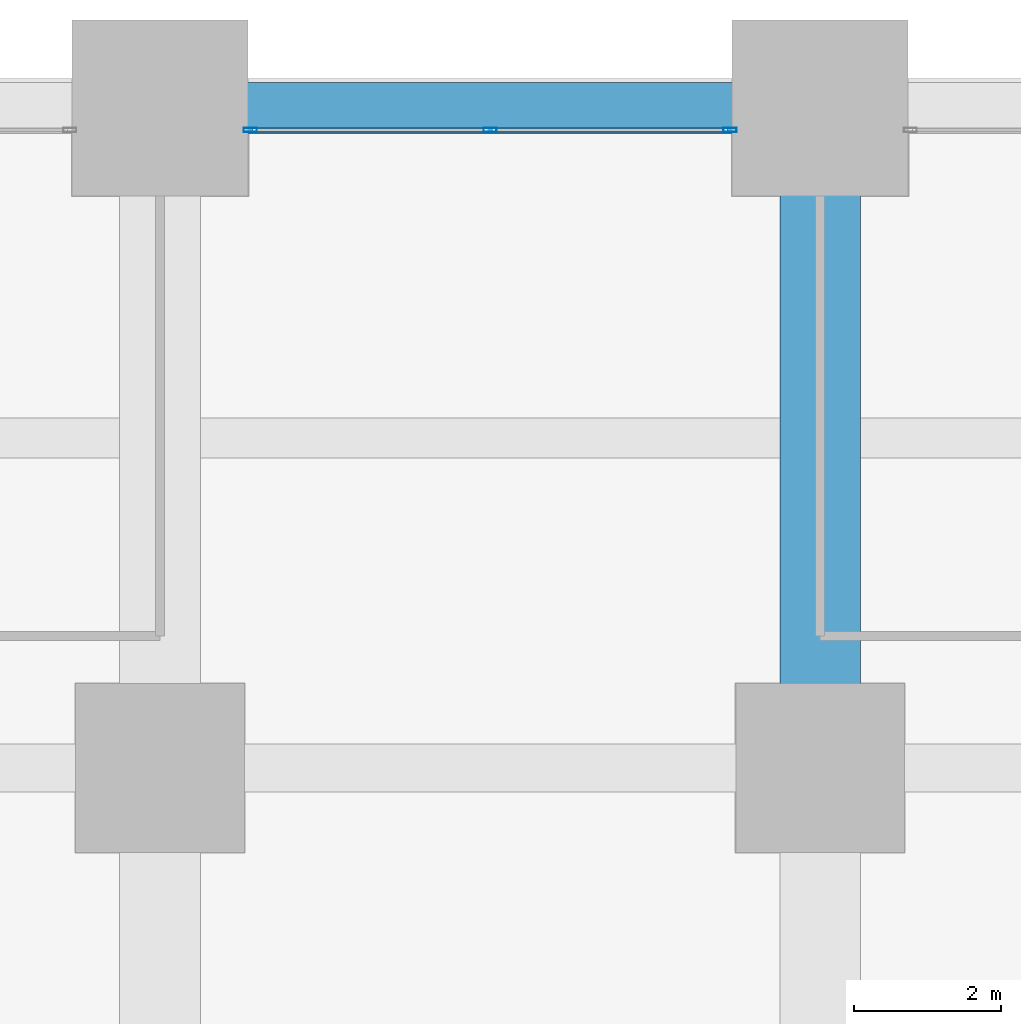
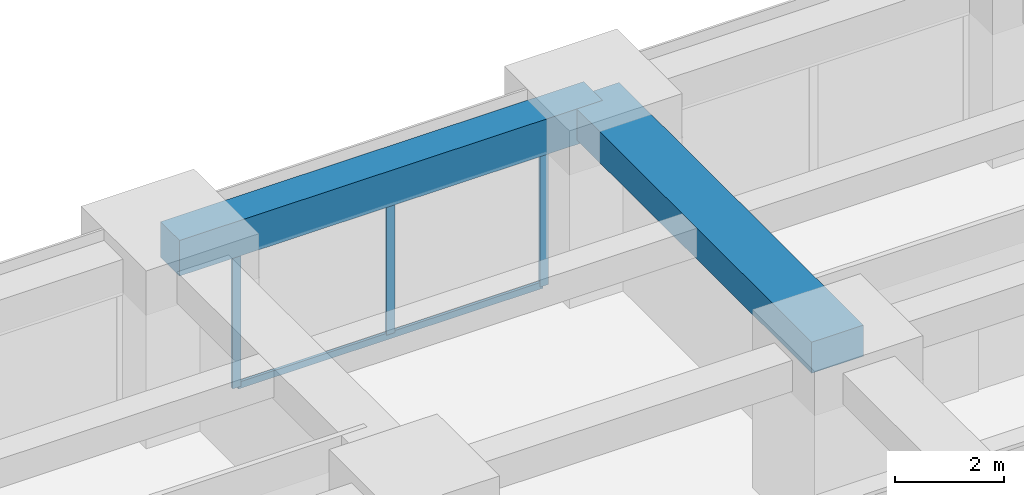
# One storey, part 22 of 39: 4 members, 2 beams, 1 element without a shape of its own.
"""IFC4 building model written with IfcOpenShell, lengths in metres."""

from ifc_helpers import new_model, si_unit, direction, frame, origin, origin_2d, place, context, subcontext, project, spatial, rectangle, hollow_rectangle, extrude, material, material_profile, profile_set, type_object, element, aggregate, save


model = new_model("IFC4")

# Units and contexts
model_context = context("Model", 3, precision=1e-05, world=origin(), true_north=direction((0.0, 1.0)))
body_context = subcontext(model_context, "Body", "Model", "MODEL_VIEW")
ifc_project = project(units=[si_unit("LENGTHUNIT", "METRE"), si_unit("AREAUNIT", "SQUARE_METRE"), si_unit("VOLUMEUNIT", "CUBIC_METRE"), si_unit("PLANEANGLEUNIT", "RADIAN"), si_unit("MASSUNIT", "GRAM", prefix="KILO")], contexts=[model_context])

# Site, building, storey
site_placement = place(None, origin())
site = spatial("IfcSite", under=ifc_project, at=site_placement, CompositionType="ELEMENT")
building_placement = place(site_placement, origin())
building = spatial("IfcBuilding", under=site, at=building_placement, Name="Zorevar Civic Tower", CompositionType="ELEMENT")
storey_placement = place(building_placement, frame((0.0, 0.0, 19.800048828125)))
storey = spatial("IfcBuildingStorey", under=building, at=storey_placement, Name="L04", CompositionType="ELEMENT", Elevation=19.800048828125)

# Beam
ifc_material_1 = material(Name="Concrete C50/60", Category="concrete")
ifc_material_profile_1 = material_profile(ifc_material_1, rectangle(XDim=1.10009765625, YDim=0.699951171875, at=origin_2d()), Name="RC 1100x700")
ifc_profile_set_1 = profile_set([ifc_material_profile_1], Name="Concrete C50/60")
beam_type_1 = type_object("IfcBeamType", Name="Beam RC 1100x700", PredefinedType="BEAM", material=ifc_profile_set_1)
beam_1_placement = place(storey_placement, frame((36.0, 45.0, 3.39990234375), z_axis=(0.0, 1.0, 0.0), x_axis=(-1.0, 0.0, 0.0)))
element("IfcBeam", 1, at=beam_1_placement, inside=storey, type_object=beam_type_1, Name="Girder L05", PredefinedType="BEAM", context=body_context, shape_type="SweptSolid", body=[
    extrude(rectangle(XDim=1.10009765625, YDim=0.699951171875, at=origin_2d()), origin(), (0.0, 0.0, 1.0), 9.0),
])

# Curtain wall, members
ifc_material_2 = material(Name="Dark grey solar-control glass in black aluminium frame", Category="aluminium")
curtain_wall_type = type_object("IfcCurtainWallType", Name="Curtain wall CW2 low zone", PredefinedType="NOTDEFINED", material=ifc_material_2)
curtain_wall_placement = place(storey_placement, origin())
curtain_wall = element("IfcCurtainWall", 2, at=curtain_wall_placement, inside=storey, type_object=curtain_wall_type, Name="CW2 L04", PredefinedType="NOTDEFINED")
ifc_material_3 = material(Name="Aluminium, black anodised", Category="aluminium")
ifc_material_profile_2 = material_profile(ifc_material_3, hollow_rectangle(XDim=0.06005859375, YDim=0.179931640625, WallThickness=0.00390625, at=origin_2d()), Name="AL 180x60x4")
ifc_profile_set_2 = profile_set([ifc_material_profile_2], Name="Aluminium, black anodised")
member_type_1 = type_object("IfcMemberType", Name="CW2 mullion AL 180x60x4", PredefinedType="MULLION", material=ifc_profile_set_2)
member_1_placement = place(storey_placement, frame((28.22998046875, 53.699951171875, 0.0), z_axis=(0.0, 0.0, 1.0), x_axis=(0.0, 1.0, 0.0)))
member_1 = element("IfcMember", 3, at=member_1_placement, type_object=member_type_1, Name="CW2 mullion 1", PredefinedType="MULLION", context=body_context, shape_type="SweptSolid", body=[
    extrude(hollow_rectangle(XDim=0.06005859375, YDim=0.179931640625, WallThickness=0.00390625, at=origin_2d()), origin(), (0.0, 0.0, 1.0), 2.949951171875),
])
member_2_placement = place(storey_placement, frame((31.5, 53.699951171875, 0.06005859375), z_axis=(0.0, 0.0, 1.0), x_axis=(0.0, 1.0, 0.0)))
member_2 = element("IfcMember", 4, at=member_2_placement, type_object=member_type_1, Name="CW2 mullion 2", PredefinedType="MULLION", context=body_context, shape_type="SweptSolid", body=[
    extrude(hollow_rectangle(XDim=0.06005859375, YDim=0.179931640625, WallThickness=0.00390625, at=origin_2d()), origin(), (0.0, 0.0, 1.0), 2.889892578125),
])
member_3_placement = place(storey_placement, frame((34.77001953125, 53.699951171875, 0.0), z_axis=(0.0, 0.0, 1.0), x_axis=(0.0, 1.0, 0.0)))
member_3 = element("IfcMember", 5, at=member_3_placement, type_object=member_type_1, Name="CW2 mullion 3", PredefinedType="MULLION", context=body_context, shape_type="SweptSolid", body=[
    extrude(hollow_rectangle(XDim=0.06005859375, YDim=0.179931640625, WallThickness=0.00390625, at=origin_2d()), origin(), (0.0, 0.0, 1.0), 2.949951171875),
])
ifc_material_4 = material(Name="Aluminium, black anodised", Category="aluminium")
ifc_material_profile_3 = material_profile(ifc_material_4, hollow_rectangle(XDim=0.06005859375, YDim=0.14990234375, WallThickness=0.00390625, at=origin_2d()), Name="AL 150x60x4")
ifc_profile_set_3 = profile_set([ifc_material_profile_3], Name="Aluminium, black anodised")
member_type_2 = type_object("IfcMemberType", Name="CW2 transom AL 150x60x4", PredefinedType="USERDEFINED", material=ifc_profile_set_3)
member_4_placement = place(storey_placement, frame((28.260009765625, 53.699951171875, 0.030029296875), z_axis=(1.0, 0.0, 0.0), x_axis=(0.0, 1.0, 0.0)))
member_4 = element("IfcMember", 6, at=member_4_placement, type_object=member_type_2, Name="CW2 sill transom", ObjectType="TRANSOM", PredefinedType="USERDEFINED", context=body_context, shape_type="SweptSolid", body=[
    extrude(hollow_rectangle(XDim=0.06005859375, YDim=0.14990234375, WallThickness=0.00390625, at=origin_2d()), origin(), (0.0, 0.0, 1.0), 6.47998046875),
])
aggregate(curtain_wall, [member_1, member_2, member_3, member_4])

# Beam
ifc_material_5 = material(Name="Concrete C50/60", Category="concrete")
ifc_material_profile_4 = material_profile(ifc_material_5, rectangle(XDim=0.699951171875, YDim=0.800048828125, at=origin_2d()), Name="RC 700x800")
ifc_profile_set_4 = profile_set([ifc_material_profile_4], Name="Concrete C50/60")
beam_type_2 = type_object("IfcBeamType", Name="Edge beam RC 700x800", PredefinedType="SPANDREL", material=ifc_profile_set_4)
beam_2_placement = place(storey_placement, frame((27.0, 54.0, 3.349853515625), z_axis=(1.0, 0.0, 0.0), x_axis=(0.0, 1.0, 0.0)))
element("IfcBeam", 7, at=beam_2_placement, inside=storey, type_object=beam_type_2, Name="Edge beam L05", PredefinedType="SPANDREL", context=body_context, shape_type="SweptSolid", body=[
    extrude(rectangle(XDim=0.699951171875, YDim=0.800048828125, at=origin_2d()), origin(), (0.0, 0.0, 1.0), 9.0),
])

save(model, "model.ifc")
